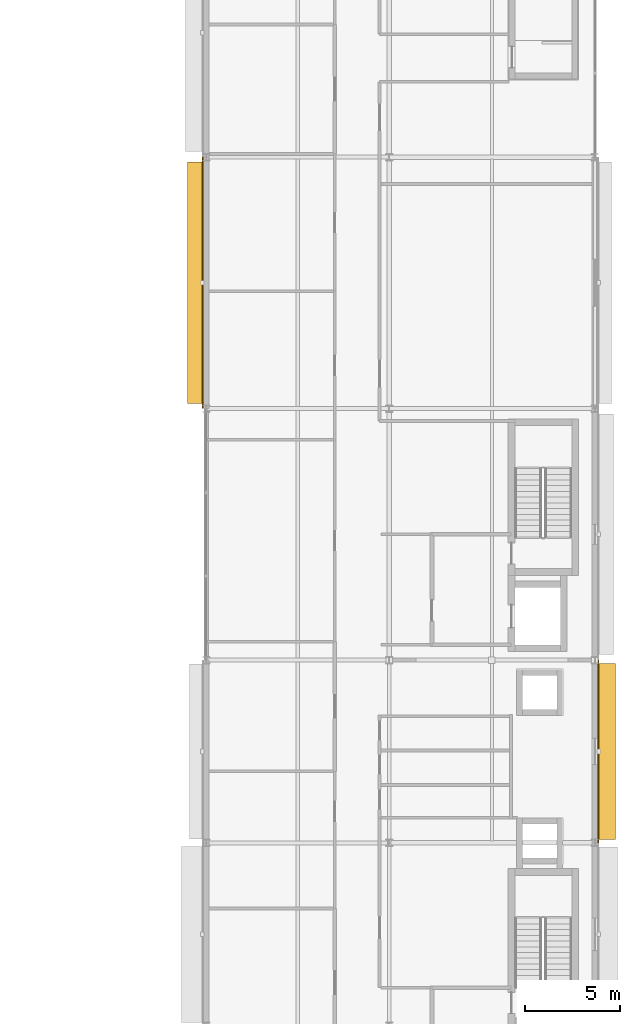
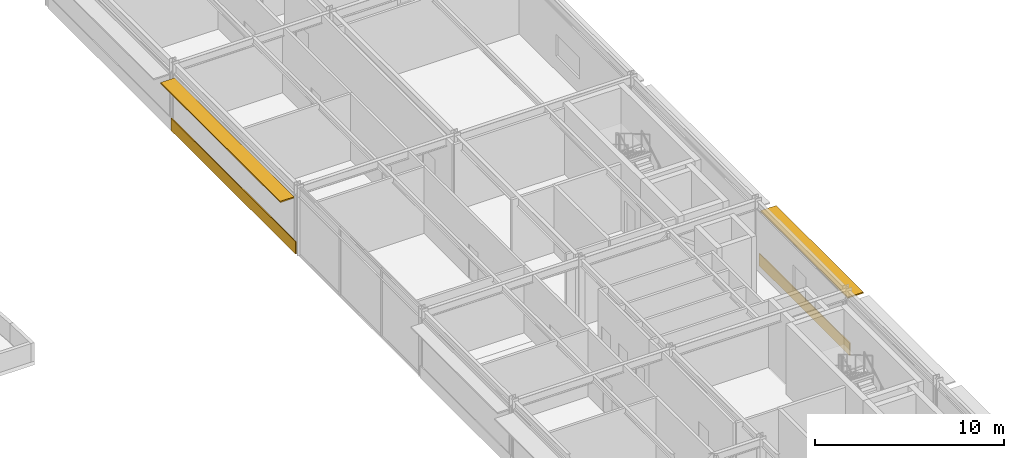
# One storey, part 48 of 50: 2 coverings, 2 shading devices.
"""IFC4 building model written with IfcOpenShell, lengths in metres."""

from ifc_helpers import new_model, si_unit, direction, frame, origin, origin_2d, place, context, subcontext, project, spatial, rectangle, extrude, material, layer, layer_set, type_object, element, save


model = new_model("IFC4")

# Units and contexts
model_context = context("Model", 3, precision=1e-05, world=origin(), true_north=direction((0.0, 1.0)))
body_context = subcontext(model_context, "Body", "Model", "MODEL_VIEW")
ifc_project = project(units=[si_unit("LENGTHUNIT", "METRE"), si_unit("AREAUNIT", "SQUARE_METRE"), si_unit("VOLUMEUNIT", "CUBIC_METRE"), si_unit("PLANEANGLEUNIT", "RADIAN"), si_unit("MASSUNIT", "GRAM", prefix="KILO")], contexts=[model_context])

# Site, building, storey
site_placement = place(None, origin())
site = spatial("IfcSite", under=ifc_project, at=site_placement, CompositionType="ELEMENT")
building_placement = place(site_placement, origin())
building = spatial("IfcBuilding", under=site, at=building_placement, Name="Almandine Court Research Institute", CompositionType="ELEMENT")
storey_placement = place(building_placement, frame((0.0, 0.0, 23.449951171875)))
storey = spatial("IfcBuildingStorey", under=building, at=storey_placement, Name="L05", CompositionType="ELEMENT", Elevation=23.449951171875)

# Coverings
ifc_material_1 = material(Name="Extruded Cream-Ochre Seismic Terracotta Spandrel", Category="masonry")
ifc_layer_1 = layer(ifc_material_1, 0.054931640625)
ifc_layer_set_1 = layer_set([ifc_layer_1], Name="Extruded Cream-Ochre Seismic Terracotta Spandrel")
covering_type = type_object("IfcCoveringType", Name="Cov-CLAD-TERR", PredefinedType="CLADDING", material=ifc_layer_set_1)
covering_1_placement = place(storey_placement, frame((153.428955078125, 64.199951171875, 0.02001953125), z_axis=(0.0, 0.0, 1.0), x_axis=(0.0, 1.0, 0.0)))
element("IfcCovering", 1, at=covering_1_placement, inside=storey, type_object=covering_type, Name="L05 Facade Spandrel Cladding Band 189", PredefinedType="CLADDING", context=body_context, shape_type="SweptSolid", body=[
    extrude(rectangle(XDim=13.19189453125, YDim=0.054931640625, at=origin_2d()), origin(), (0.0, 0.0, 1.0), 0.800048828125),
])
covering_2_placement = place(storey_placement, frame((174.1708984375, 39.60009765625, 0.02001953125), z_axis=(0.0, 0.0, 1.0), x_axis=(0.0, -1.0, 0.0)))
element("IfcCovering", 2, at=covering_2_placement, inside=storey, type_object=covering_type, Name="L05 Facade Spandrel Cladding Band 195", PredefinedType="CLADDING", context=body_context, shape_type="SweptSolid", body=[
    extrude(rectangle(XDim=9.592041015625, YDim=0.054931640625, at=origin_2d()), origin(), (0.0, 0.0, 1.0), 0.800048828125),
])

# Shading devices
ifc_material_2 = material(Name="Precast GFRC Chhajja Sunshade and Acoustic Louvre", Category="concrete")
ifc_layer_2 = layer(ifc_material_2, 0.080078125)
ifc_layer_set_2 = layer_set([ifc_layer_2], Name="Precast GFRC Chhajja Sunshade and Acoustic Louvre")
shading_device_type_1 = type_object("IfcShadingDeviceType", Name="Shd-SD-11", PredefinedType="AWNING", material=ifc_layer_set_2)
shading_device_1_placement = place(storey_placement, frame((174.610107421875, 39.60009765625, 3.618896484375), z_axis=(0.0, 0.0, 1.0), x_axis=(0.0, -1.0, 0.0)))
element("IfcShadingDevice", 3, at=shading_device_1_placement, inside=storey, type_object=shading_device_type_1, Name="L05 Projecting Chhajja Sunshade 136", PredefinedType="AWNING", context=body_context, shape_type="SweptSolid", body=[
    extrude(rectangle(XDim=9.241943359375, YDim=0.949951171875, at=origin_2d()), origin(), (0.0, 0.0, 1.0), 0.080078125),
])
ifc_layer_3 = layer(ifc_material_2, 0.080078125)
ifc_layer_set_3 = layer_set([ifc_layer_3], Name="Precast GFRC Chhajja Sunshade and Acoustic Louvre")
shading_device_type_2 = type_object("IfcShadingDeviceType", Name="Shd-SD-42", PredefinedType="AWNING", material=ifc_layer_set_3)
shading_device_2_placement = place(storey_placement, frame((153.0400390625, 64.199951171875, 3.47705078125), z_axis=(0.0, 0.0, 1.0), x_axis=(0.0, 1.0, 0.0)))
element("IfcShadingDevice", 4, at=shading_device_2_placement, inside=storey, type_object=shading_device_type_2, Name="L05 Projecting Chhajja Sunshade 130", PredefinedType="AWNING", context=body_context, shape_type="SweptSolid", body=[
    extrude(rectangle(XDim=12.681884765625, YDim=0.85009765625, at=origin_2d()), origin(), (0.0, 0.0, 1.0), 0.080078125),
])

save(model, "model.ifc")
